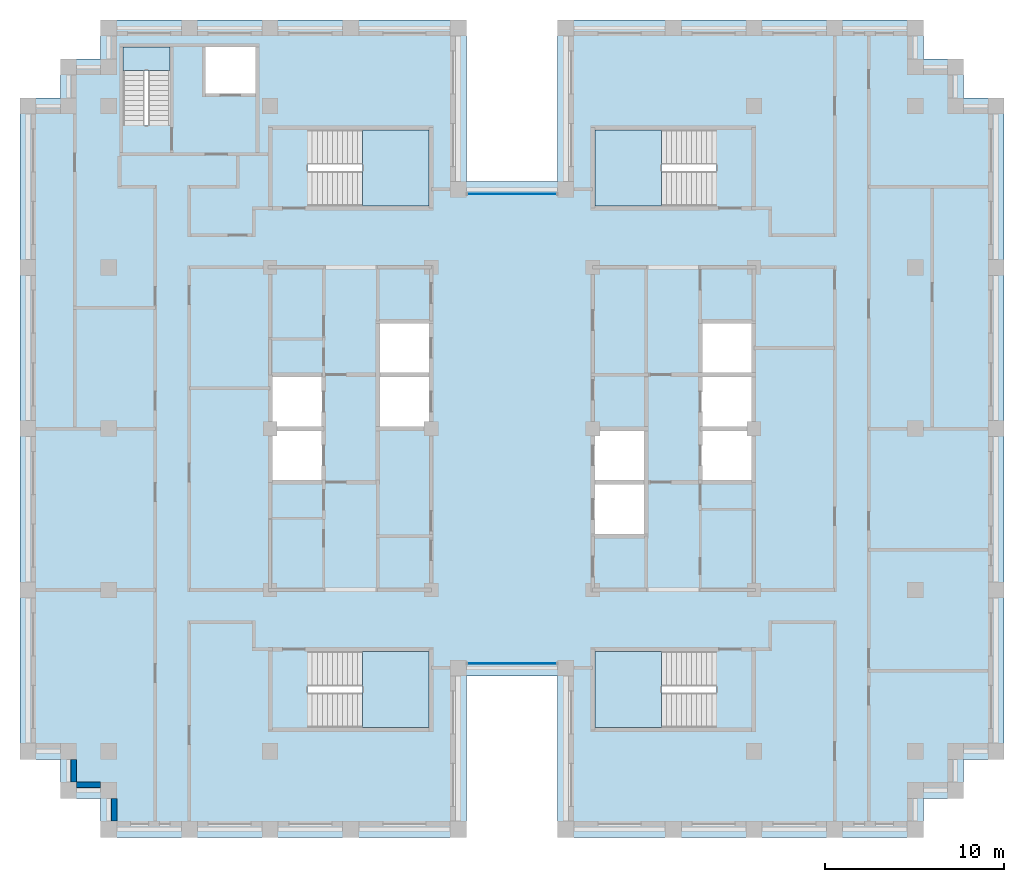
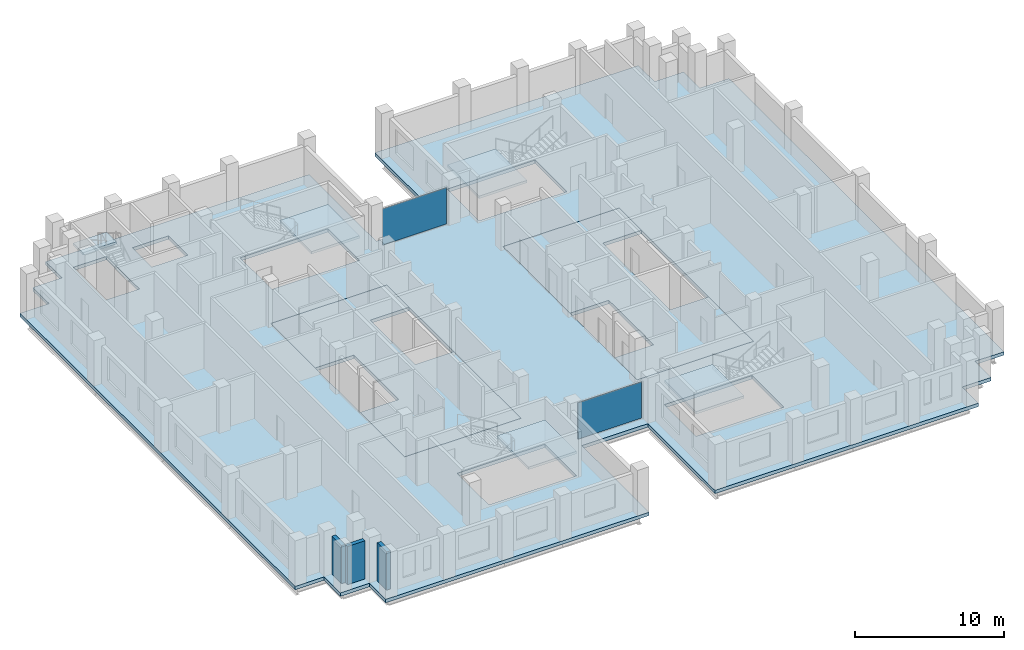
# One storey, part 5 of 13: 8 slabs, 3 walls, 2 plates, 7 elements without a shape of their own.
"""IFC4 building model written with IfcOpenShell, lengths in metres."""

from ifc_helpers import new_model, si_unit, direction, frame, frame_2d, origin, origin_2d, place, context, subcontext, project, spatial, polyline, rectangle, outline, extrude, material, layer, layer_set, type_object, element, aggregate, save


model = new_model("IFC4")

# Units and contexts
model_context = context("Model", 3, precision=1e-05, world=origin(), true_north=direction((0.0, 1.0)))
body_context = subcontext(model_context, "Body", "Model", "MODEL_VIEW")
ifc_project = project(units=[si_unit("LENGTHUNIT", "METRE"), si_unit("AREAUNIT", "SQUARE_METRE"), si_unit("VOLUMEUNIT", "CUBIC_METRE"), si_unit("PLANEANGLEUNIT", "RADIAN"), si_unit("MASSUNIT", "GRAM", prefix="KILO")], contexts=[model_context])

# Site, building, storey
site_placement = place(None, origin())
site = spatial("IfcSite", under=ifc_project, at=site_placement, CompositionType="ELEMENT")
building_placement = place(site_placement, origin())
building = spatial("IfcBuilding", under=site, at=building_placement, Name="Corbelhall Arena Tower", CompositionType="ELEMENT")
storey_placement = place(building_placement, frame((0.0, 0.0, 246.0)))
storey = spatial("IfcBuildingStorey", under=building, at=storey_placement, Name="L52", CompositionType="ELEMENT", Elevation=246.0)

# Curtain wall, plate
ifc_material_1 = material(Name="Aluminium black anodised", Category="aluminium")
ifc_layer_1 = layer(ifc_material_1, 0.199951171875)
ifc_layer_set_1 = layer_set([ifc_layer_1], Name="EV-CW1 Slot back wall")
curtain_wall_type = type_object("IfcCurtainWallType", Name="EV-CW1 Slot back wall", PredefinedType="NOTDEFINED", material=ifc_layer_set_1)
curtain_wall_1_placement = place(storey_placement, origin())
curtain_wall_1 = element("IfcCurtainWall", 1, at=curtain_wall_1_placement, inside=storey, type_object=curtain_wall_type, Name="Curtain wall CW1", PredefinedType="NOTDEFINED")
ifc_material_2 = material(Name="Glass dark tinted laminated", Category="glass")
ifc_layer_2 = layer(ifc_material_2, 0.028076171875)
ifc_layer_set_2 = layer_set([ifc_layer_2], Name="EV-CW1-PANEL")
plate_type = type_object("IfcPlateType", Name="EV-CW1-PANEL", PredefinedType="CURTAIN_PANEL", material=ifc_layer_set_2)
plate_1_placement = place(storey_placement, frame((0.0, -13.10009765625, 0.0751953125), z_axis=(0.0, 0.0, 1.0), x_axis=(1.0, 0.0, 0.0)))
plate_1 = element("IfcPlate", 2, at=plate_1_placement, type_object=plate_type, Name="CW1 panel 1.1", PredefinedType="CURTAIN_PANEL", context=body_context, shape_type="SweptSolid", body=[
    extrude(rectangle(XDim=4.949951171875, YDim=0.028076171875, at=origin_2d()), origin(), (0.0, 0.0, 1.0), 2.969970703125),
])
aggregate(curtain_wall_1, [plate_1])

curtain_wall_2_placement = place(storey_placement, origin())
curtain_wall_2 = element("IfcCurtainWall", 3, at=curtain_wall_2_placement, inside=storey, type_object=curtain_wall_type, Name="Curtain wall CW1", PredefinedType="NOTDEFINED")
plate_2_placement = place(storey_placement, frame((0.0, 13.10009765625, 0.0751953125), z_axis=(0.0, 0.0, 1.0), x_axis=(-1.0, 0.0, 0.0)))
plate_2 = element("IfcPlate", 4, at=plate_2_placement, type_object=plate_type, Name="CW1 panel 1.1", PredefinedType="CURTAIN_PANEL", context=body_context, shape_type="SweptSolid", body=[
    extrude(rectangle(XDim=4.949951171875, YDim=0.028076171875, at=origin_2d()), origin(), (0.0, 0.0, 1.0), 2.969970703125),
])
aggregate(curtain_wall_2, [plate_2])

# Slabs
ifc_material_3 = material(Name="Concrete C40/50", Category="concrete")
ifc_layer_3 = layer(ifc_material_3, 0.300048828125)
ifc_layer_set_3 = layer_set([ifc_layer_3], Name="IN-SL-CORE")
slab_type_1 = type_object("IfcSlabType", Name="IN-SL-CORE", PredefinedType="FLOOR", material=ifc_layer_set_3)
slab_1_placement = place(storey_placement, frame((0.0, 0.0, -0.280029296875)))
element("IfcSlab", 5, at=slab_1_placement, inside=storey, type_object=slab_type_1, Name="Core floor W", PredefinedType="FLOOR", context=body_context, shape_type="SweptSolid", body=[
    extrude(outline(polyline([(-10.5, -3.0), (-13.5, -3.0), (-13.5, -9.0), (-4.5, -9.0), (-4.5, 0.0), (-7.5, 0.0), (-7.5, 3.0), (-7.5, 6.0), (-4.5, 6.0), (-4.5, 9.0), (-13.5, 9.0), (-13.5, 3.0), (-10.5, 3.0), (-10.5, 0.0), (-10.5, -3.0)])), origin(), (0.0, 0.0, 1.0), 0.280029296875),
])
slab_2_placement = place(storey_placement, frame((0.0, 0.0, -0.280029296875)))
element("IfcSlab", 6, at=slab_2_placement, inside=storey, type_object=slab_type_1, Name="Core floor E", PredefinedType="FLOOR", context=body_context, shape_type="SweptSolid", body=[
    extrude(outline(polyline([(13.5, -3.0), (10.5, -3.0), (10.5, 0.0), (10.5, 3.0), (10.5, 6.0), (13.5, 6.0), (13.5, 9.0), (4.5, 9.0), (4.5, 0.0), (7.5, 0.0), (7.5, -3.0), (7.5, -6.0), (4.5, -6.0), (4.5, -9.0), (13.5, -9.0), (13.5, -3.0)])), origin(), (0.0, 0.0, 1.0), 0.280029296875),
])

# Stair, slab
stair_type = type_object("IfcStairType", Name="IN-ST-TOWER", PredefinedType="HALF_TURN_STAIR", material=ifc_material_3)
stair_1_placement = place(storey_placement, origin())
stair_1 = element("IfcStair", 7, at=stair_1_placement, inside=storey, type_object=stair_type, Name="L52 Exit stair ST1", PredefinedType="HALF_TURN_STAIR")
ifc_layer_4 = layer(ifc_material_3, 0.199951171875)
ifc_layer_set_4 = layer_set([ifc_layer_4], Name="IN-SL-LANDING")
slab_type_2 = type_object("IfcSlabType", Name="IN-SL-LANDING", PredefinedType="LANDING", material=ifc_layer_set_4)
slab_3_placement = place(storey_placement, frame((0.0, 0.0, 1.800048828125)))
slab_3 = element("IfcSlab", 8, at=slab_3_placement, type_object=slab_type_2, Name="ST1 landing 1", PredefinedType="LANDING", context=body_context, shape_type="SweptSolid", body=[
    extrude(outline(polyline([(-8.344970703125, 12.425048828125), (-4.625, 12.425048828125), (-4.625, 16.675048828125), (-8.344970703125, 16.675048828125), (-8.344970703125, 12.425048828125)])), origin(), (0.0, 0.0, 1.0), 0.199951171875),
])
aggregate(stair_1, [slab_3])

stair_2_placement = place(storey_placement, origin())
stair_2 = element("IfcStair", 9, at=stair_2_placement, inside=storey, type_object=stair_type, Name="L52 Exit stair ST2", PredefinedType="HALF_TURN_STAIR")
slab_4_placement = place(storey_placement, frame((0.0, 0.0, 1.800048828125)))
slab_4 = element("IfcSlab", 10, at=slab_4_placement, type_object=slab_type_2, Name="ST2 landing 1", PredefinedType="LANDING", context=body_context, shape_type="SweptSolid", body=[
    extrude(outline(polyline([(-8.344970703125, -16.675048828125), (-4.625, -16.675048828125), (-4.625, -12.425048828125), (-8.344970703125, -12.425048828125), (-8.344970703125, -16.675048828125)])), origin(), (0.0, 0.0, 1.0), 0.199951171875),
])
aggregate(stair_2, [slab_4])

stair_3_placement = place(storey_placement, origin())
stair_3 = element("IfcStair", 11, at=stair_3_placement, inside=storey, type_object=stair_type, Name="L52 Exit stair ST3", PredefinedType="HALF_TURN_STAIR")
slab_5_placement = place(storey_placement, frame((0.0, 0.0, 1.800048828125)))
slab_5 = element("IfcSlab", 12, at=slab_5_placement, type_object=slab_type_2, Name="ST3 landing 1", PredefinedType="LANDING", context=body_context, shape_type="SweptSolid", body=[
    extrude(outline(polyline([(8.344970703125, 16.675048828125), (4.625, 16.675048828125), (4.625, 12.425048828125), (8.344970703125, 12.425048828125), (8.344970703125, 16.675048828125)])), origin(), (0.0, 0.0, 1.0), 0.199951171875),
])
aggregate(stair_3, [slab_5])

stair_4_placement = place(storey_placement, origin())
stair_4 = element("IfcStair", 13, at=stair_4_placement, inside=storey, type_object=stair_type, Name="L52 Exit stair ST4", PredefinedType="HALF_TURN_STAIR")
slab_6_placement = place(storey_placement, frame((0.0, 0.0, 1.800048828125)))
slab_6 = element("IfcSlab", 14, at=slab_6_placement, type_object=slab_type_2, Name="ST4 landing 1", PredefinedType="LANDING", context=body_context, shape_type="SweptSolid", body=[
    extrude(outline(polyline([(8.344970703125, -12.425048828125), (4.625, -12.425048828125), (4.625, -16.675048828125), (8.344970703125, -16.675048828125), (8.344970703125, -12.425048828125)])), origin(), (0.0, 0.0, 1.0), 0.199951171875),
])
aggregate(stair_4, [slab_6])

stair_5_placement = place(storey_placement, origin())
stair_5 = element("IfcStair", 15, at=stair_5_placement, inside=storey, type_object=stair_type, Name="L52 Exit stair ST5", PredefinedType="HALF_TURN_STAIR")
slab_7_placement = place(storey_placement, frame((0.0, 0.0, 1.800048828125)))
slab_7 = element("IfcSlab", 16, at=slab_7_placement, type_object=slab_type_2, Name="ST5 landing 1", PredefinedType="LANDING", context=body_context, shape_type="SweptSolid", body=[
    extrude(outline(polyline([(-19.094970703125, 19.97998046875), (-19.094970703125, 21.300048828125), (-21.695068359375, 21.300048828125), (-21.695068359375, 19.97998046875), (-19.094970703125, 19.97998046875)])), origin(), (0.0, 0.0, 1.0), 0.199951171875),
])
aggregate(stair_5, [slab_7])

# Slab
ifc_layer_5 = layer(ifc_material_3, 0.280029296875)
ifc_layer_set_5 = layer_set([ifc_layer_5], Name="ST-SLAB-FLOOR-280")
slab_type_3 = type_object("IfcSlabType", Name="ST-SLAB-FLOOR-280", PredefinedType="FLOOR", material=ifc_layer_set_5)
slab_8_placement = place(storey_placement, frame((0.0, 0.0, -0.280029296875)))
element("IfcSlab", 17, at=slab_8_placement, inside=storey, type_object=slab_type_3, Name="Floor slab L52 1", PredefinedType="FLOOR", context=body_context, shape_type="SweptSolid", body=[
    extrude(outline(polyline([(22.949951171875, 22.800048828125), (2.550048828125, 22.800048828125), (2.550048828125, 13.800048828125), (-2.550048828125, 13.800048828125), (-2.550048828125, 22.800048828125), (-22.949951171875, 22.800048828125), (-22.949951171875, 20.625), (-25.199951171875, 20.625), (-25.199951171875, 18.449951171875), (-27.449951171875, 18.449951171875), (-27.449951171875, -18.449951171875), (-25.199951171875, -18.449951171875), (-25.199951171875, -20.625), (-22.949951171875, -20.625), (-22.949951171875, -22.800048828125), (-2.550048828125, -22.800048828125), (-2.550048828125, -13.800048828125), (2.550048828125, -13.800048828125), (2.550048828125, -22.800048828125), (22.949951171875, -22.800048828125), (22.949951171875, -20.625), (25.199951171875, -20.625), (25.199951171875, -18.449951171875), (27.449951171875, -18.449951171875), (27.449951171875, 18.449951171875), (25.199951171875, 18.449951171875), (25.199951171875, 20.625), (22.949951171875, 20.625), (22.949951171875, 22.800048828125)]), holes=[polyline([(-13.5, 9.0), (-13.5, -9.0), (-4.5, -9.0), (-4.5, 9.0), (-13.5, 9.0)]), polyline([(4.5, 9.0), (4.5, -9.0), (13.5, -9.0), (13.5, 9.0), (4.5, 9.0)]), polyline([(-4.625, 16.675048828125), (-11.422119140625, 16.675048828125), (-11.422119140625, 12.425048828125), (-4.625, 12.425048828125), (-4.625, 16.675048828125)]), polyline([(-4.625, -16.675048828125), (-4.625, -12.425048828125), (-11.422119140625, -12.425048828125), (-11.422119140625, -16.675048828125), (-4.625, -16.675048828125)]), polyline([(11.422119140625, 16.675048828125), (4.625, 16.675048828125), (4.625, 12.425048828125), (11.422119140625, 12.425048828125), (11.422119140625, 16.675048828125)]), polyline([(11.422119140625, -16.675048828125), (11.422119140625, -12.425048828125), (4.625, -12.425048828125), (4.625, -16.675048828125), (11.422119140625, -16.675048828125)]), polyline([(-21.695068359375, 21.300048828125), (-21.695068359375, 16.903076171875), (-19.094970703125, 16.903076171875), (-19.094970703125, 21.300048828125), (-21.695068359375, 21.300048828125)]), polyline([(-14.300048828125, 21.300048828125), (-17.10009765625, 21.300048828125), (-17.10009765625, 18.699951171875), (-14.300048828125, 18.699951171875), (-14.300048828125, 21.300048828125)])]), origin(), (0.0, 0.0, 1.0), 0.280029296875),
])

# Walls
ifc_material_4 = material(Name="Precast concrete C40/50 with granite facing", Category="masonry")
ifc_layer_6 = layer(ifc_material_4, 0.300048828125)
ifc_layer_set_6 = layer_set([ifc_layer_6], Name="EV-IW1 Infill panel 300")
wall_type = type_object("IfcWallType", Name="EV-IW1 Infill panel 300", PredefinedType="SOLIDWALL", material=ifc_layer_set_6)
wall_1_placement = place(storey_placement, frame((-24.449951171875, -18.449951171875, 0.0), z_axis=(0.0, 0.0, 1.0), x_axis=(0.0, -1.0, 0.0)))
element("IfcWall", 18, at=wall_1_placement, inside=storey, type_object=wall_type, Name="Infill panel IW1", PredefinedType="SOLIDWALL", context=body_context, shape_type="SweptSolid", body=[
    extrude(rectangle(XDim=1.275146484375, YDim=0.300048828125, at=frame_2d((0.6376953125, 0.0))), origin(), (0.0, 0.0, 1.0), 3.1201171875),
])
wall_2_placement = place(storey_placement, frame((-24.300048828125, -19.875, 0.0), z_axis=(0.0, 0.0, 1.0), x_axis=(1.0, 0.0, 0.0)))
element("IfcWall", 19, at=wall_2_placement, inside=storey, type_object=wall_type, Name="Infill panel IW1", PredefinedType="SOLIDWALL", context=body_context, shape_type="SweptSolid", body=[
    extrude(rectangle(XDim=1.35009765625, YDim=0.300048828125, at=frame_2d((0.675048828125, 0.0))), origin(), (0.0, 0.0, 1.0), 3.1201171875),
])
wall_3_placement = place(storey_placement, frame((-22.199951171875, -20.625, 0.0), z_axis=(0.0, 0.0, 1.0), x_axis=(0.0, -1.0, 0.0)))
element("IfcWall", 20, at=wall_3_placement, inside=storey, type_object=wall_type, Name="Infill panel IW1", PredefinedType="SOLIDWALL", context=body_context, shape_type="SweptSolid", body=[
    extrude(rectangle(XDim=1.27490234375, YDim=0.300048828125, at=frame_2d((0.637451171875, 0.0))), origin(), (0.0, 0.0, 1.0), 3.1201171875),
])

save(model, "model.ifc")
